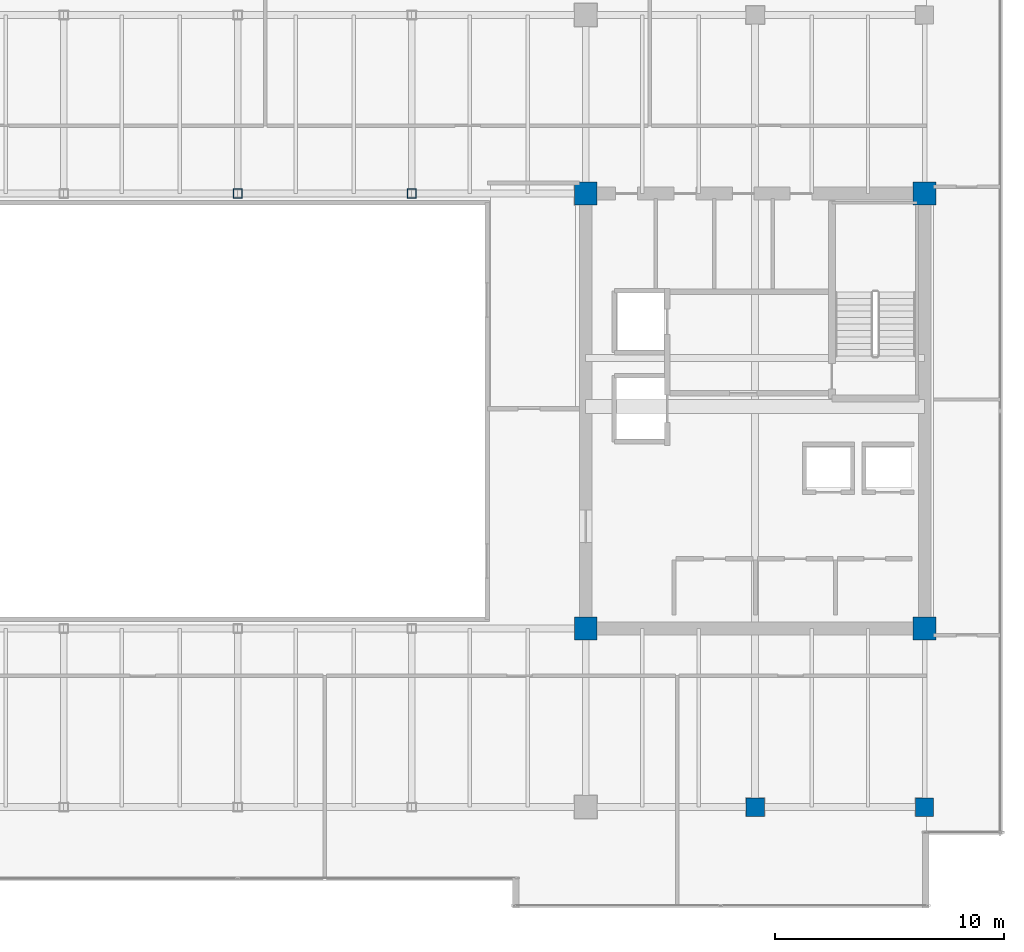
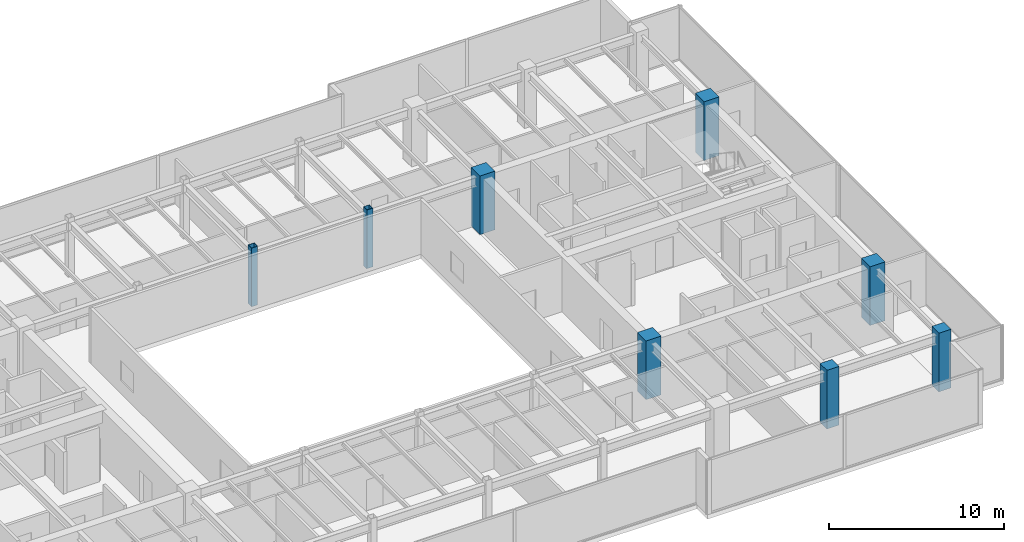
# One storey, part 2 of 35: 8 columns.
"""IFC4 building model written with IfcOpenShell, lengths in metres."""

from ifc_helpers import new_model, si_unit, direction, frame, origin, origin_2d, place, context, subcontext, project, spatial, rectangle, hollow_rectangle, extrude, source, transform, mapped, material, material_profile, profile_set, type_object, type_shapes, element, save


model = new_model("IFC4")

# Units and contexts
model_context = context("Model", 3, precision=1e-05, world=origin(), true_north=direction((0.0, 1.0)))
body_context = subcontext(model_context, "Body", "Model", "MODEL_VIEW")
ifc_project = project(units=[si_unit("LENGTHUNIT", "METRE"), si_unit("AREAUNIT", "SQUARE_METRE"), si_unit("VOLUMEUNIT", "CUBIC_METRE"), si_unit("PLANEANGLEUNIT", "RADIAN"), si_unit("MASSUNIT", "GRAM", prefix="KILO")], contexts=[model_context])

# Site, building, storey
site_placement = place(None, origin())
site = spatial("IfcSite", under=ifc_project, at=site_placement, CompositionType="ELEMENT")
building_placement = place(site_placement, origin())
building = spatial("IfcBuilding", under=site, at=building_placement, Name="Haelvirn Gate Laboratories", CompositionType="ELEMENT")
storey_placement = place(building_placement, frame((0.0, 0.0, 226.0)))
storey = spatial("IfcBuildingStorey", under=building, at=storey_placement, Name="L54", CompositionType="ELEMENT", Elevation=226.0)

# Columns
ifc_material_1 = material(Name="Concrete C60/75", Category="concrete")
ifc_material_profile_1 = material_profile(ifc_material_1, rectangle(XDim=1.0, YDim=1.0, at=origin_2d()), Name="RC-1000x1000")
ifc_profile_set_1 = profile_set([ifc_material_profile_1], Name="Concrete C60/75")
column_type_1 = type_object("IfcColumnType", Name="COL-RC-1000", PredefinedType="COLUMN", material=ifc_profile_set_1)
shared_shape_1 = source(origin(), body_context, "Body", "SweptSolid", [
    extrude(rectangle(XDim=1.0, YDim=1.0, at=origin_2d()), origin(), (0.0, 0.0, 1.0), 4.10009765625),
])
type_shapes(column_type_1, [shared_shape_1])
for number, where, z_axis, x_axis, name in (
    (1, (52.60009765625, 14.800048828125, 0.0), (0.0, 0.0, 1.0), (1.0, 0.0, 0.0), "L54 Column 8C"),
    (2, (67.39990234375, 14.800048828125, 0.0), (0.0, 0.0, 1.0), (1.0, 0.0, 0.0), "L54 Column 10C"),
    (3, (52.60009765625, 33.800048828125, 0.0), (0.0, 0.0, 1.0), (1.0, 0.0, 0.0), "L54 Column 8F"),
    (4, (67.39990234375, 33.800048828125, 0.0), (0.0, 0.0, 1.0), (1.0, 0.0, 0.0), "L54 Column 10F"),
):
    element("IfcColumn", number, at=place(storey_placement, frame(where, z_axis=z_axis, x_axis=x_axis)), inside=storey, type_object=column_type_1, Name=name, PredefinedType="COLUMN", context=body_context, shape_type="MappedRepresentation", body=[
        mapped(shared_shape_1, transform((0.0, 0.0, 0.0), scale=1.0)),
    ])
ifc_material_2 = material(Name="Concrete C50/60", Category="concrete")
ifc_material_profile_2 = material_profile(ifc_material_2, rectangle(XDim=0.800048828125, YDim=0.800048828125, at=origin_2d()), Name="RC-800x800")
ifc_profile_set_2 = profile_set([ifc_material_profile_2], Name="Concrete C50/60")
column_type_2 = type_object("IfcColumnType", Name="COL-RC-800", PredefinedType="COLUMN", material=ifc_profile_set_2)
shared_shape_2 = source(origin(), body_context, "Body", "SweptSolid", [
    extrude(rectangle(XDim=0.800048828125, YDim=0.800048828125, at=origin_2d()), origin(), (0.0, 0.0, 1.0), 4.10009765625),
])
type_shapes(column_type_2, [shared_shape_2])
for number, where, z_axis, x_axis, name in (
    (5, (60.0, 7.0, 0.0), (0.0, 0.0, 1.0), (1.0, 0.0, 0.0), "L54 Column 9B"),
    (6, (67.39990234375, 7.0, 0.0), (0.0, 0.0, 1.0), (1.0, 0.0, 0.0), "L54 Column 10B"),
):
    element("IfcColumn", number, at=place(storey_placement, frame(where, z_axis=z_axis, x_axis=x_axis)), inside=storey, type_object=column_type_2, Name=name, PredefinedType="COLUMN", context=body_context, shape_type="MappedRepresentation", body=[
        mapped(shared_shape_2, transform((0.0, 0.0, 0.0), scale=1.0)),
    ])
ifc_material_3 = material(Name="Steel SM355", Category="steel")
ifc_material_profile_3 = material_profile(ifc_material_3, hollow_rectangle(XDim=0.39990234375, YDim=0.39990234375, WallThickness=0.01904296875, at=origin_2d()), Name="BOX-400x400x19")
ifc_profile_set_3 = profile_set([ifc_material_profile_3], Name="Steel SM355")
column_type_3 = type_object("IfcColumnType", Name="COL-BOX-400", PredefinedType="COLUMN", material=ifc_profile_set_3)
shared_shape_3 = source(origin(), body_context, "Body", "SweptSolid", [
    extrude(hollow_rectangle(XDim=0.39990234375, YDim=0.39990234375, WallThickness=0.01904296875, at=origin_2d()), origin(), (0.0, 0.0, 1.0), 4.10009765625),
])
type_shapes(column_type_3, [shared_shape_3])
for number, where, z_axis, x_axis, name in (
    (7, (37.39990234375, 33.800048828125, 0.0), (0.0, 0.0, 1.0), (1.0, 0.0, 0.0), "L54 Column 6F"),
    (8, (45.0, 33.800048828125, 0.0), (0.0, 0.0, 1.0), (1.0, 0.0, 0.0), "L54 Column 7F"),
):
    element("IfcColumn", number, at=place(storey_placement, frame(where, z_axis=z_axis, x_axis=x_axis)), inside=storey, type_object=column_type_3, Name=name, PredefinedType="COLUMN", context=body_context, shape_type="MappedRepresentation", body=[
        mapped(shared_shape_3, transform((0.0, 0.0, 0.0), scale=1.0)),
    ])

save(model, "model.ifc")
